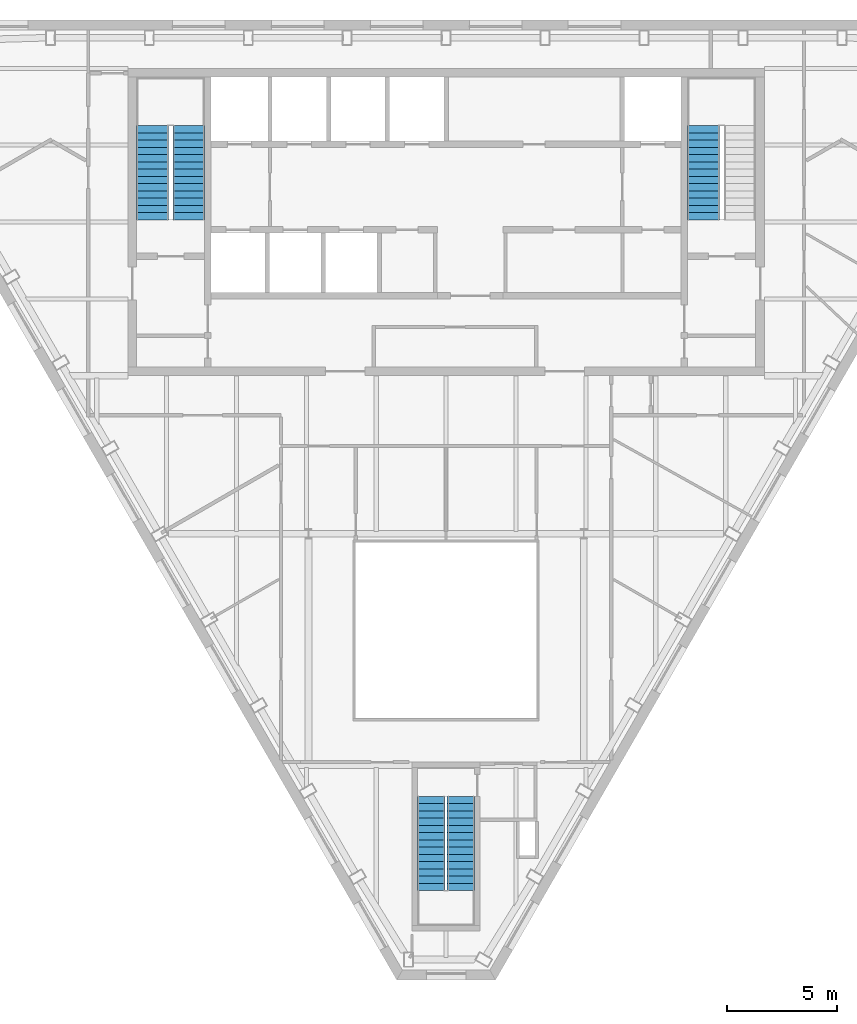
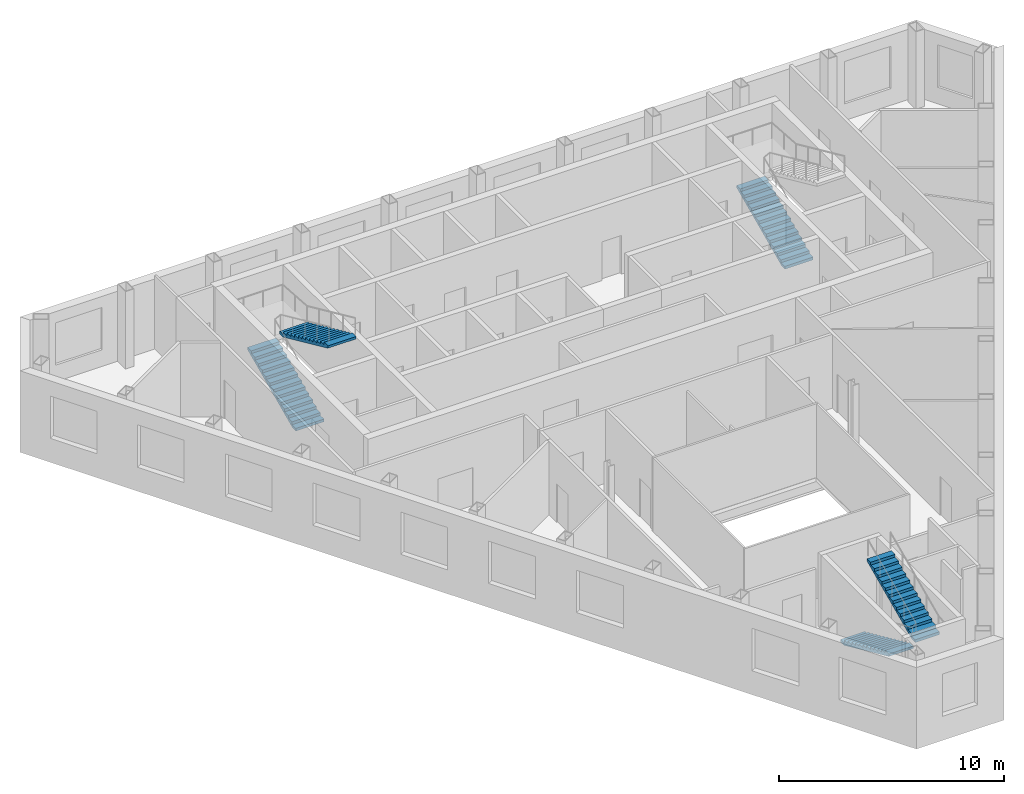
# One storey, part 9 of 11: 5 stair flights, 3 elements without a shape of their own.
"""IFC4 building model written with IfcOpenShell, lengths in metres."""

from ifc_helpers import new_model, si_unit, direction, frame, origin, place, context, subcontext, project, spatial, polygons, material, type_object, element, aggregate, save


model = new_model("IFC4")

# Units and contexts
model_context = context("Model", 3, precision=1e-05, world=origin(), true_north=direction((0.0, 1.0)))
body_context = subcontext(model_context, "Body", "Model", "MODEL_VIEW")
ifc_project = project(units=[si_unit("LENGTHUNIT", "METRE"), si_unit("AREAUNIT", "SQUARE_METRE"), si_unit("VOLUMEUNIT", "CUBIC_METRE"), si_unit("PLANEANGLEUNIT", "RADIAN"), si_unit("MASSUNIT", "GRAM", prefix="KILO")], contexts=[model_context])

# Site, building, storey
site_placement = place(None, origin())
site = spatial("IfcSite", under=ifc_project, at=site_placement, CompositionType="ELEMENT")
building_placement = place(site_placement, origin())
building = spatial("IfcBuilding", under=site, at=building_placement, Name="Njiva Tower", CompositionType="ELEMENT")
storey_placement = place(building_placement, frame((0.0, 0.0, 316.8)))
storey = spatial("IfcBuildingStorey", under=building, at=storey_placement, Name="L72", CompositionType="ELEMENT", Elevation=316.8)

# Stair, stair flights
ifc_material = material(Name="Concrete C40/50", Category="concrete")
stair_type_1 = type_object("IfcStairType", Name="ST1 Exit stair 1250", PredefinedType="HALF_TURN_STAIR", material=ifc_material)
stair_1_placement = place(storey_placement, origin())
stair_1 = element("IfcStair", 1, at=stair_1_placement, inside=storey, type_object=stair_type_1, Name="Stair C", PredefinedType="HALF_TURN_STAIR")
stair_flight_type_1 = type_object("IfcStairFlightType", Name="FL1 Stair flight 1250", PredefinedType="STRAIGHT", material=ifc_material)
stair_flight_1_placement = place(storey_placement, frame((-0.675, -15.16, 0.0), z_axis=(0.0, 0.0, 1.0), x_axis=(0.0, -1.0, 0.0)))
stair_flight_1 = element("IfcStairFlight", 2, at=stair_flight_1_placement, type_object=stair_flight_type_1, Name="ST-C flight 1", NumberOfRisers=14, NumberOfTreads=13, PredefinedType="STRAIGHT", RiserHeight=0.15, TreadLength=0.33, context=body_context, shape_type="Tessellation", body=[
    polygons([(0.0, 0.625, 0.0), (0.0, 0.3125, 0.0), (0.0, 0.0, 0.0), (0.0, -0.3125, 0.0), (0.0, -0.625, 0.0), (0.0, 0.625, 0.15), (0.0, 0.3125, 0.15), (0.0, 0.0, 0.15), (0.0, -0.3125, 0.15), (0.0, -0.625, 0.15), (0.33, 0.625, 0.15), (0.33, 0.3125, 0.15), (0.33, 0.0, 0.15), (0.33, -0.3125, 0.15), (0.33, -0.625, 0.15), (0.33, 0.625, 0.3), (0.33, 0.3125, 0.3), (0.33, 0.0, 0.3), (0.33, -0.3125, 0.3), (0.33, -0.625, 0.3), (0.66, 0.625, 0.3), (0.66, 0.3125, 0.3), (0.66, 0.0, 0.3), (0.66, -0.3125, 0.3), (0.66, -0.625, 0.3), (0.66, 0.625, 0.45), (0.66, 0.3125, 0.45), (0.66, 0.0, 0.45), (0.66, -0.3125, 0.45), (0.66, -0.625, 0.45), (0.99, 0.625, 0.45), (0.99, 0.3125, 0.45), (0.99, 0.0, 0.45), (0.99, -0.3125, 0.45), (0.99, -0.625, 0.45), (0.99, 0.625, 0.6), (0.99, 0.3125, 0.6), (0.99, 0.0, 0.6), (0.99, -0.3125, 0.6), (0.99, -0.625, 0.6), (1.32, 0.625, 0.6), (1.32, 0.3125, 0.6), (1.32, 0.0, 0.6), (1.32, -0.3125, 0.6), (1.32, -0.625, 0.6), (1.32, 0.625, 0.75), (1.32, 0.3125, 0.75), (1.32, 0.0, 0.75), (1.32, -0.3125, 0.75), (1.32, -0.625, 0.75), (1.65, 0.625, 0.75), (1.65, 0.3125, 0.75), (1.65, 0.0, 0.75), (1.65, -0.3125, 0.75), (1.65, -0.625, 0.75), (1.65, 0.625, 0.9), (1.65, 0.3125, 0.9), (1.65, 0.0, 0.9), (1.65, -0.3125, 0.9), (1.65, -0.625, 0.9), (1.98, 0.625, 0.9), (1.98, 0.3125, 0.9), (1.98, 0.0, 0.9), (1.98, -0.3125, 0.9), (1.98, -0.625, 0.9), (1.98, 0.625, 1.05), (1.98, 0.3125, 1.05), (1.98, 0.0, 1.05), (1.98, -0.3125, 1.05), (1.98, -0.625, 1.05), (2.31, 0.625, 1.05), (2.31, 0.3125, 1.05), (2.31, 0.0, 1.05), (2.31, -0.3125, 1.05), (2.31, -0.625, 1.05), (2.31, 0.625, 1.2), (2.31, 0.3125, 1.2), (2.31, 0.0, 1.2), (2.31, -0.3125, 1.2), (2.31, -0.625, 1.2), (2.64, 0.625, 1.2), (2.64, 0.3125, 1.2), (2.64, 0.0, 1.2), (2.64, -0.3125, 1.2), (2.64, -0.625, 1.2), (2.64, 0.625, 1.35), (2.64, 0.3125, 1.35), (2.64, 0.0, 1.35), (2.64, -0.3125, 1.35), (2.64, -0.625, 1.35), (2.97, 0.625, 1.35), (2.97, 0.3125, 1.35), (2.97, 0.0, 1.35), (2.97, -0.3125, 1.35), (2.97, -0.625, 1.35), (2.97, 0.625, 1.5), (2.97, 0.3125, 1.5), (2.97, 0.0, 1.5), (2.97, -0.3125, 1.5), (2.97, -0.625, 1.5), (3.3, 0.625, 1.5), (3.3, 0.3125, 1.5), (3.3, 0.0, 1.5), (3.3, -0.3125, 1.5), (3.3, -0.625, 1.5), (3.3, 0.625, 1.65), (3.3, 0.3125, 1.65), (3.3, 0.0, 1.65), (3.3, -0.3125, 1.65), (3.3, -0.625, 1.65), (3.63, 0.625, 1.65), (3.63, 0.3125, 1.65), (3.63, 0.0, 1.65), (3.63, -0.3125, 1.65), (3.63, -0.625, 1.65), (3.63, 0.625, 1.8), (3.63, 0.3125, 1.8), (3.63, 0.0, 1.8), (3.63, -0.3125, 1.8), (3.63, -0.625, 1.8), (3.96, 0.625, 1.8), (3.96, 0.3125, 1.8), (3.96, 0.0, 1.8), (3.96, -0.3125, 1.8), (3.96, -0.625, 1.8), (3.96, 0.625, 1.95), (3.96, 0.3125, 1.95), (3.96, 0.0, 1.95), (3.96, -0.3125, 1.95), (3.96, -0.625, 1.95), (4.29, 0.625, 1.95), (4.29, 0.3125, 1.95), (4.29, 0.0, 1.95), (4.29, -0.3125, 1.95), (4.29, -0.625, 1.95), (4.29, 0.625, 1.8182), (4.29, 0.3125, 1.8182), (4.29, 0.0, 1.8182), (4.29, -0.3125, 1.8182), (4.29, -0.625, 1.8182), (0.29, 0.625, 0.0), (0.29, 0.3125, 0.0), (0.29, 0.0, 0.0), (0.29, -0.3125, 0.0), (0.29, -0.625, 0.0)], [[[1, 6, 11, 16, 21, 26, 31, 36, 41, 46, 51, 56, 61, 66, 71, 76, 81, 86, 91, 96, 101, 106, 111, 116, 121, 126, 131, 136, 141]], [[145, 140, 135, 130, 125, 120, 115, 110, 105, 100, 95, 90, 85, 80, 75, 70, 65, 60, 55, 50, 45, 40, 35, 30, 25, 20, 15, 10, 5]], [[6, 1, 2, 7]], [[7, 2, 3, 8]], [[8, 3, 4, 9]], [[9, 4, 5, 10]], [[11, 6, 7, 12]], [[12, 7, 8, 13]], [[13, 8, 9, 14]], [[14, 9, 10, 15]], [[16, 11, 12, 17]], [[17, 12, 13, 18]], [[18, 13, 14, 19]], [[19, 14, 15, 20]], [[21, 16, 17, 22]], [[22, 17, 18, 23]], [[23, 18, 19, 24]], [[24, 19, 20, 25]], [[26, 21, 22, 27]], [[27, 22, 23, 28]], [[28, 23, 24, 29]], [[29, 24, 25, 30]], [[31, 26, 27, 32]], [[32, 27, 28, 33]], [[33, 28, 29, 34]], [[34, 29, 30, 35]], [[36, 31, 32, 37]], [[37, 32, 33, 38]], [[38, 33, 34, 39]], [[39, 34, 35, 40]], [[41, 36, 37, 42]], [[42, 37, 38, 43]], [[43, 38, 39, 44]], [[44, 39, 40, 45]], [[46, 41, 42, 47]], [[47, 42, 43, 48]], [[48, 43, 44, 49]], [[49, 44, 45, 50]], [[51, 46, 47, 52]], [[52, 47, 48, 53]], [[53, 48, 49, 54]], [[54, 49, 50, 55]], [[56, 51, 52, 57]], [[57, 52, 53, 58]], [[58, 53, 54, 59]], [[59, 54, 55, 60]], [[61, 56, 57, 62]], [[62, 57, 58, 63]], [[63, 58, 59, 64]], [[64, 59, 60, 65]], [[66, 61, 62, 67]], [[67, 62, 63, 68]], [[68, 63, 64, 69]], [[69, 64, 65, 70]], [[71, 66, 67, 72]], [[72, 67, 68, 73]], [[73, 68, 69, 74]], [[74, 69, 70, 75]], [[76, 71, 72, 77]], [[77, 72, 73, 78]], [[78, 73, 74, 79]], [[79, 74, 75, 80]], [[81, 76, 77, 82]], [[82, 77, 78, 83]], [[83, 78, 79, 84]], [[84, 79, 80, 85]], [[86, 81, 82, 87]], [[87, 82, 83, 88]], [[88, 83, 84, 89]], [[89, 84, 85, 90]], [[91, 86, 87, 92]], [[92, 87, 88, 93]], [[93, 88, 89, 94]], [[94, 89, 90, 95]], [[96, 91, 92, 97]], [[97, 92, 93, 98]], [[98, 93, 94, 99]], [[99, 94, 95, 100]], [[101, 96, 97, 102]], [[102, 97, 98, 103]], [[103, 98, 99, 104]], [[104, 99, 100, 105]], [[106, 101, 102, 107]], [[107, 102, 103, 108]], [[108, 103, 104, 109]], [[109, 104, 105, 110]], [[111, 106, 107, 112]], [[112, 107, 108, 113]], [[113, 108, 109, 114]], [[114, 109, 110, 115]], [[116, 111, 112, 117]], [[117, 112, 113, 118]], [[118, 113, 114, 119]], [[119, 114, 115, 120]], [[121, 116, 117, 122]], [[122, 117, 118, 123]], [[123, 118, 119, 124]], [[124, 119, 120, 125]], [[126, 121, 122, 127]], [[127, 122, 123, 128]], [[128, 123, 124, 129]], [[129, 124, 125, 130]], [[131, 126, 127, 132]], [[132, 127, 128, 133]], [[133, 128, 129, 134]], [[134, 129, 130, 135]], [[136, 131, 132, 137]], [[137, 132, 133, 138]], [[138, 133, 134, 139]], [[139, 134, 135, 140]], [[141, 136, 137, 142]], [[142, 137, 138, 143]], [[143, 138, 139, 144]], [[144, 139, 140, 145]], [[1, 141, 142, 2]], [[2, 142, 143, 3]], [[3, 143, 144, 4]], [[4, 144, 145, 5]]], closed=True),
])
stair_flight_2_placement = place(storey_placement, frame((0.675, -19.45, 2.1), z_axis=(0.0, 0.0, 1.0), x_axis=(0.0, 1.0, 0.0)))
stair_flight_2 = element("IfcStairFlight", 3, at=stair_flight_2_placement, type_object=stair_flight_type_1, Name="ST-C flight 2", NumberOfRisers=14, NumberOfTreads=13, PredefinedType="STRAIGHT", RiserHeight=0.15, TreadLength=0.33, context=body_context, shape_type="Tessellation", body=[
    polygons([(0.0, 0.625, 0.0), (0.0, 0.3125, 0.0), (0.0, 0.0, 0.0), (0.0, -0.3125, 0.0), (0.0, -0.625, 0.0), (0.0, 0.625, 0.15), (0.0, 0.3125, 0.15), (0.0, 0.0, 0.15), (0.0, -0.3125, 0.15), (0.0, -0.625, 0.15), (0.33, 0.625, 0.15), (0.33, 0.3125, 0.15), (0.33, 0.0, 0.15), (0.33, -0.3125, 0.15), (0.33, -0.625, 0.15), (0.33, 0.625, 0.3), (0.33, 0.3125, 0.3), (0.33, 0.0, 0.3), (0.33, -0.3125, 0.3), (0.33, -0.625, 0.3), (0.66, 0.625, 0.3), (0.66, 0.3125, 0.3), (0.66, 0.0, 0.3), (0.66, -0.3125, 0.3), (0.66, -0.625, 0.3), (0.66, 0.625, 0.45), (0.66, 0.3125, 0.45), (0.66, 0.0, 0.45), (0.66, -0.3125, 0.45), (0.66, -0.625, 0.45), (0.99, 0.625, 0.45), (0.99, 0.3125, 0.45), (0.99, 0.0, 0.45), (0.99, -0.3125, 0.45), (0.99, -0.625, 0.45), (0.99, 0.625, 0.6), (0.99, 0.3125, 0.6), (0.99, 0.0, 0.6), (0.99, -0.3125, 0.6), (0.99, -0.625, 0.6), (1.32, 0.625, 0.6), (1.32, 0.3125, 0.6), (1.32, 0.0, 0.6), (1.32, -0.3125, 0.6), (1.32, -0.625, 0.6), (1.32, 0.625, 0.75), (1.32, 0.3125, 0.75), (1.32, 0.0, 0.75), (1.32, -0.3125, 0.75), (1.32, -0.625, 0.75), (1.65, 0.625, 0.75), (1.65, 0.3125, 0.75), (1.65, 0.0, 0.75), (1.65, -0.3125, 0.75), (1.65, -0.625, 0.75), (1.65, 0.625, 0.9), (1.65, 0.3125, 0.9), (1.65, 0.0, 0.9), (1.65, -0.3125, 0.9), (1.65, -0.625, 0.9), (1.98, 0.625, 0.9), (1.98, 0.3125, 0.9), (1.98, 0.0, 0.9), (1.98, -0.3125, 0.9), (1.98, -0.625, 0.9), (1.98, 0.625, 1.05), (1.98, 0.3125, 1.05), (1.98, 0.0, 1.05), (1.98, -0.3125, 1.05), (1.98, -0.625, 1.05), (2.31, 0.625, 1.05), (2.31, 0.3125, 1.05), (2.31, 0.0, 1.05), (2.31, -0.3125, 1.05), (2.31, -0.625, 1.05), (2.31, 0.625, 1.2), (2.31, 0.3125, 1.2), (2.31, 0.0, 1.2), (2.31, -0.3125, 1.2), (2.31, -0.625, 1.2), (2.64, 0.625, 1.2), (2.64, 0.3125, 1.2), (2.64, 0.0, 1.2), (2.64, -0.3125, 1.2), (2.64, -0.625, 1.2), (2.64, 0.625, 1.35), (2.64, 0.3125, 1.35), (2.64, 0.0, 1.35), (2.64, -0.3125, 1.35), (2.64, -0.625, 1.35), (2.97, 0.625, 1.35), (2.97, 0.3125, 1.35), (2.97, 0.0, 1.35), (2.97, -0.3125, 1.35), (2.97, -0.625, 1.35), (2.97, 0.625, 1.5), (2.97, 0.3125, 1.5), (2.97, 0.0, 1.5), (2.97, -0.3125, 1.5), (2.97, -0.625, 1.5), (3.3, 0.625, 1.5), (3.3, 0.3125, 1.5), (3.3, 0.0, 1.5), (3.3, -0.3125, 1.5), (3.3, -0.625, 1.5), (3.3, 0.625, 1.65), (3.3, 0.3125, 1.65), (3.3, 0.0, 1.65), (3.3, -0.3125, 1.65), (3.3, -0.625, 1.65), (3.63, 0.625, 1.65), (3.63, 0.3125, 1.65), (3.63, 0.0, 1.65), (3.63, -0.3125, 1.65), (3.63, -0.625, 1.65), (3.63, 0.625, 1.8), (3.63, 0.3125, 1.8), (3.63, 0.0, 1.8), (3.63, -0.3125, 1.8), (3.63, -0.625, 1.8), (3.96, 0.625, 1.8), (3.96, 0.3125, 1.8), (3.96, 0.0, 1.8), (3.96, -0.3125, 1.8), (3.96, -0.625, 1.8), (3.96, 0.625, 1.95), (3.96, 0.3125, 1.95), (3.96, 0.0, 1.95), (3.96, -0.3125, 1.95), (3.96, -0.625, 1.95), (4.29, 0.625, 1.95), (4.29, 0.3125, 1.95), (4.29, 0.0, 1.95), (4.29, -0.3125, 1.95), (4.29, -0.625, 1.95), (4.29, 0.625, 1.8182), (4.29, 0.3125, 1.8182), (4.29, 0.0, 1.8182), (4.29, -0.3125, 1.8182), (4.29, -0.625, 1.8182), (0.29, 0.625, 0.0), (0.29, 0.3125, 0.0), (0.29, 0.0, 0.0), (0.29, -0.3125, 0.0), (0.29, -0.625, 0.0)], [[[1, 6, 11, 16, 21, 26, 31, 36, 41, 46, 51, 56, 61, 66, 71, 76, 81, 86, 91, 96, 101, 106, 111, 116, 121, 126, 131, 136, 141]], [[145, 140, 135, 130, 125, 120, 115, 110, 105, 100, 95, 90, 85, 80, 75, 70, 65, 60, 55, 50, 45, 40, 35, 30, 25, 20, 15, 10, 5]], [[6, 1, 2, 7]], [[7, 2, 3, 8]], [[8, 3, 4, 9]], [[9, 4, 5, 10]], [[11, 6, 7, 12]], [[12, 7, 8, 13]], [[13, 8, 9, 14]], [[14, 9, 10, 15]], [[16, 11, 12, 17]], [[17, 12, 13, 18]], [[18, 13, 14, 19]], [[19, 14, 15, 20]], [[21, 16, 17, 22]], [[22, 17, 18, 23]], [[23, 18, 19, 24]], [[24, 19, 20, 25]], [[26, 21, 22, 27]], [[27, 22, 23, 28]], [[28, 23, 24, 29]], [[29, 24, 25, 30]], [[31, 26, 27, 32]], [[32, 27, 28, 33]], [[33, 28, 29, 34]], [[34, 29, 30, 35]], [[36, 31, 32, 37]], [[37, 32, 33, 38]], [[38, 33, 34, 39]], [[39, 34, 35, 40]], [[41, 36, 37, 42]], [[42, 37, 38, 43]], [[43, 38, 39, 44]], [[44, 39, 40, 45]], [[46, 41, 42, 47]], [[47, 42, 43, 48]], [[48, 43, 44, 49]], [[49, 44, 45, 50]], [[51, 46, 47, 52]], [[52, 47, 48, 53]], [[53, 48, 49, 54]], [[54, 49, 50, 55]], [[56, 51, 52, 57]], [[57, 52, 53, 58]], [[58, 53, 54, 59]], [[59, 54, 55, 60]], [[61, 56, 57, 62]], [[62, 57, 58, 63]], [[63, 58, 59, 64]], [[64, 59, 60, 65]], [[66, 61, 62, 67]], [[67, 62, 63, 68]], [[68, 63, 64, 69]], [[69, 64, 65, 70]], [[71, 66, 67, 72]], [[72, 67, 68, 73]], [[73, 68, 69, 74]], [[74, 69, 70, 75]], [[76, 71, 72, 77]], [[77, 72, 73, 78]], [[78, 73, 74, 79]], [[79, 74, 75, 80]], [[81, 76, 77, 82]], [[82, 77, 78, 83]], [[83, 78, 79, 84]], [[84, 79, 80, 85]], [[86, 81, 82, 87]], [[87, 82, 83, 88]], [[88, 83, 84, 89]], [[89, 84, 85, 90]], [[91, 86, 87, 92]], [[92, 87, 88, 93]], [[93, 88, 89, 94]], [[94, 89, 90, 95]], [[96, 91, 92, 97]], [[97, 92, 93, 98]], [[98, 93, 94, 99]], [[99, 94, 95, 100]], [[101, 96, 97, 102]], [[102, 97, 98, 103]], [[103, 98, 99, 104]], [[104, 99, 100, 105]], [[106, 101, 102, 107]], [[107, 102, 103, 108]], [[108, 103, 104, 109]], [[109, 104, 105, 110]], [[111, 106, 107, 112]], [[112, 107, 108, 113]], [[113, 108, 109, 114]], [[114, 109, 110, 115]], [[116, 111, 112, 117]], [[117, 112, 113, 118]], [[118, 113, 114, 119]], [[119, 114, 115, 120]], [[121, 116, 117, 122]], [[122, 117, 118, 123]], [[123, 118, 119, 124]], [[124, 119, 120, 125]], [[126, 121, 122, 127]], [[127, 122, 123, 128]], [[128, 123, 124, 129]], [[129, 124, 125, 130]], [[131, 126, 127, 132]], [[132, 127, 128, 133]], [[133, 128, 129, 134]], [[134, 129, 130, 135]], [[136, 131, 132, 137]], [[137, 132, 133, 138]], [[138, 133, 134, 139]], [[139, 134, 135, 140]], [[141, 136, 137, 142]], [[142, 137, 138, 143]], [[143, 138, 139, 144]], [[144, 139, 140, 145]], [[1, 141, 142, 2]], [[2, 142, 143, 3]], [[3, 143, 144, 4]], [[4, 144, 145, 5]]], closed=True),
])
aggregate(stair_1, [stair_flight_1, stair_flight_2])

stair_type_2 = type_object("IfcStairType", Name="ST3 Exit stair 1450", PredefinedType="HALF_TURN_STAIR", material=ifc_material)
stair_2_placement = place(storey_placement, origin())
stair_2 = element("IfcStair", 4, at=stair_2_placement, inside=storey, type_object=stair_type_2, Name="Stair A", PredefinedType="HALF_TURN_STAIR")
stair_flight_type_2 = type_object("IfcStairFlightType", Name="FL3 Stair flight 1450", PredefinedType="STRAIGHT", material=ifc_material)
stair_flight_3_placement = place(storey_placement, frame((-13.375, 11.1, 0.0), z_axis=(0.0, 0.0, 1.0), x_axis=(0.0, 1.0, 0.0)))
stair_flight_3 = element("IfcStairFlight", 5, at=stair_flight_3_placement, type_object=stair_flight_type_2, Name="ST-A flight 1", NumberOfRisers=14, NumberOfTreads=13, PredefinedType="STRAIGHT", RiserHeight=0.15, TreadLength=0.33, context=body_context, shape_type="Tessellation", body=[
    polygons([(0.0, 0.725, 0.0), (0.0, 0.3625, 0.0), (0.0, 0.0, 0.0), (0.0, -0.3625, 0.0), (0.0, -0.725, 0.0), (0.0, 0.725, 0.15), (0.0, 0.3625, 0.15), (0.0, 0.0, 0.15), (0.0, -0.3625, 0.15), (0.0, -0.725, 0.15), (0.33, 0.725, 0.15), (0.33, 0.3625, 0.15), (0.33, 0.0, 0.15), (0.33, -0.3625, 0.15), (0.33, -0.725, 0.15), (0.33, 0.725, 0.3), (0.33, 0.3625, 0.3), (0.33, 0.0, 0.3), (0.33, -0.3625, 0.3), (0.33, -0.725, 0.3), (0.66, 0.725, 0.3), (0.66, 0.3625, 0.3), (0.66, 0.0, 0.3), (0.66, -0.3625, 0.3), (0.66, -0.725, 0.3), (0.66, 0.725, 0.45), (0.66, 0.3625, 0.45), (0.66, 0.0, 0.45), (0.66, -0.3625, 0.45), (0.66, -0.725, 0.45), (0.99, 0.725, 0.45), (0.99, 0.3625, 0.45), (0.99, 0.0, 0.45), (0.99, -0.3625, 0.45), (0.99, -0.725, 0.45), (0.99, 0.725, 0.6), (0.99, 0.3625, 0.6), (0.99, 0.0, 0.6), (0.99, -0.3625, 0.6), (0.99, -0.725, 0.6), (1.32, 0.725, 0.6), (1.32, 0.3625, 0.6), (1.32, 0.0, 0.6), (1.32, -0.3625, 0.6), (1.32, -0.725, 0.6), (1.32, 0.725, 0.75), (1.32, 0.3625, 0.75), (1.32, 0.0, 0.75), (1.32, -0.3625, 0.75), (1.32, -0.725, 0.75), (1.65, 0.725, 0.75), (1.65, 0.3625, 0.75), (1.65, 0.0, 0.75), (1.65, -0.3625, 0.75), (1.65, -0.725, 0.75), (1.65, 0.725, 0.9), (1.65, 0.3625, 0.9), (1.65, 0.0, 0.9), (1.65, -0.3625, 0.9), (1.65, -0.725, 0.9), (1.98, 0.725, 0.9), (1.98, 0.3625, 0.9), (1.98, 0.0, 0.9), (1.98, -0.3625, 0.9), (1.98, -0.725, 0.9), (1.98, 0.725, 1.05), (1.98, 0.3625, 1.05), (1.98, 0.0, 1.05), (1.98, -0.3625, 1.05), (1.98, -0.725, 1.05), (2.31, 0.725, 1.05), (2.31, 0.3625, 1.05), (2.31, 0.0, 1.05), (2.31, -0.3625, 1.05), (2.31, -0.725, 1.05), (2.31, 0.725, 1.2), (2.31, 0.3625, 1.2), (2.31, 0.0, 1.2), (2.31, -0.3625, 1.2), (2.31, -0.725, 1.2), (2.64, 0.725, 1.2), (2.64, 0.3625, 1.2), (2.64, 0.0, 1.2), (2.64, -0.3625, 1.2), (2.64, -0.725, 1.2), (2.64, 0.725, 1.35), (2.64, 0.3625, 1.35), (2.64, 0.0, 1.35), (2.64, -0.3625, 1.35), (2.64, -0.725, 1.35), (2.97, 0.725, 1.35), (2.97, 0.3625, 1.35), (2.97, 0.0, 1.35), (2.97, -0.3625, 1.35), (2.97, -0.725, 1.35), (2.97, 0.725, 1.5), (2.97, 0.3625, 1.5), (2.97, 0.0, 1.5), (2.97, -0.3625, 1.5), (2.97, -0.725, 1.5), (3.3, 0.725, 1.5), (3.3, 0.3625, 1.5), (3.3, 0.0, 1.5), (3.3, -0.3625, 1.5), (3.3, -0.725, 1.5), (3.3, 0.725, 1.65), (3.3, 0.3625, 1.65), (3.3, 0.0, 1.65), (3.3, -0.3625, 1.65), (3.3, -0.725, 1.65), (3.63, 0.725, 1.65), (3.63, 0.3625, 1.65), (3.63, 0.0, 1.65), (3.63, -0.3625, 1.65), (3.63, -0.725, 1.65), (3.63, 0.725, 1.8), (3.63, 0.3625, 1.8), (3.63, 0.0, 1.8), (3.63, -0.3625, 1.8), (3.63, -0.725, 1.8), (3.96, 0.725, 1.8), (3.96, 0.3625, 1.8), (3.96, 0.0, 1.8), (3.96, -0.3625, 1.8), (3.96, -0.725, 1.8), (3.96, 0.725, 1.95), (3.96, 0.3625, 1.95), (3.96, 0.0, 1.95), (3.96, -0.3625, 1.95), (3.96, -0.725, 1.95), (4.29, 0.725, 1.95), (4.29, 0.3625, 1.95), (4.29, 0.0, 1.95), (4.29, -0.3625, 1.95), (4.29, -0.725, 1.95), (4.29, 0.725, 1.8182), (4.29, 0.3625, 1.8182), (4.29, 0.0, 1.8182), (4.29, -0.3625, 1.8182), (4.29, -0.725, 1.8182), (0.29, 0.725, 0.0), (0.29, 0.3625, 0.0), (0.29, 0.0, 0.0), (0.29, -0.3625, 0.0), (0.29, -0.725, 0.0)], [[[1, 6, 11, 16, 21, 26, 31, 36, 41, 46, 51, 56, 61, 66, 71, 76, 81, 86, 91, 96, 101, 106, 111, 116, 121, 126, 131, 136, 141]], [[145, 140, 135, 130, 125, 120, 115, 110, 105, 100, 95, 90, 85, 80, 75, 70, 65, 60, 55, 50, 45, 40, 35, 30, 25, 20, 15, 10, 5]], [[6, 1, 2, 7]], [[7, 2, 3, 8]], [[8, 3, 4, 9]], [[9, 4, 5, 10]], [[11, 6, 7, 12]], [[12, 7, 8, 13]], [[13, 8, 9, 14]], [[14, 9, 10, 15]], [[16, 11, 12, 17]], [[17, 12, 13, 18]], [[18, 13, 14, 19]], [[19, 14, 15, 20]], [[21, 16, 17, 22]], [[22, 17, 18, 23]], [[23, 18, 19, 24]], [[24, 19, 20, 25]], [[26, 21, 22, 27]], [[27, 22, 23, 28]], [[28, 23, 24, 29]], [[29, 24, 25, 30]], [[31, 26, 27, 32]], [[32, 27, 28, 33]], [[33, 28, 29, 34]], [[34, 29, 30, 35]], [[36, 31, 32, 37]], [[37, 32, 33, 38]], [[38, 33, 34, 39]], [[39, 34, 35, 40]], [[41, 36, 37, 42]], [[42, 37, 38, 43]], [[43, 38, 39, 44]], [[44, 39, 40, 45]], [[46, 41, 42, 47]], [[47, 42, 43, 48]], [[48, 43, 44, 49]], [[49, 44, 45, 50]], [[51, 46, 47, 52]], [[52, 47, 48, 53]], [[53, 48, 49, 54]], [[54, 49, 50, 55]], [[56, 51, 52, 57]], [[57, 52, 53, 58]], [[58, 53, 54, 59]], [[59, 54, 55, 60]], [[61, 56, 57, 62]], [[62, 57, 58, 63]], [[63, 58, 59, 64]], [[64, 59, 60, 65]], [[66, 61, 62, 67]], [[67, 62, 63, 68]], [[68, 63, 64, 69]], [[69, 64, 65, 70]], [[71, 66, 67, 72]], [[72, 67, 68, 73]], [[73, 68, 69, 74]], [[74, 69, 70, 75]], [[76, 71, 72, 77]], [[77, 72, 73, 78]], [[78, 73, 74, 79]], [[79, 74, 75, 80]], [[81, 76, 77, 82]], [[82, 77, 78, 83]], [[83, 78, 79, 84]], [[84, 79, 80, 85]], [[86, 81, 82, 87]], [[87, 82, 83, 88]], [[88, 83, 84, 89]], [[89, 84, 85, 90]], [[91, 86, 87, 92]], [[92, 87, 88, 93]], [[93, 88, 89, 94]], [[94, 89, 90, 95]], [[96, 91, 92, 97]], [[97, 92, 93, 98]], [[98, 93, 94, 99]], [[99, 94, 95, 100]], [[101, 96, 97, 102]], [[102, 97, 98, 103]], [[103, 98, 99, 104]], [[104, 99, 100, 105]], [[106, 101, 102, 107]], [[107, 102, 103, 108]], [[108, 103, 104, 109]], [[109, 104, 105, 110]], [[111, 106, 107, 112]], [[112, 107, 108, 113]], [[113, 108, 109, 114]], [[114, 109, 110, 115]], [[116, 111, 112, 117]], [[117, 112, 113, 118]], [[118, 113, 114, 119]], [[119, 114, 115, 120]], [[121, 116, 117, 122]], [[122, 117, 118, 123]], [[123, 118, 119, 124]], [[124, 119, 120, 125]], [[126, 121, 122, 127]], [[127, 122, 123, 128]], [[128, 123, 124, 129]], [[129, 124, 125, 130]], [[131, 126, 127, 132]], [[132, 127, 128, 133]], [[133, 128, 129, 134]], [[134, 129, 130, 135]], [[136, 131, 132, 137]], [[137, 132, 133, 138]], [[138, 133, 134, 139]], [[139, 134, 135, 140]], [[141, 136, 137, 142]], [[142, 137, 138, 143]], [[143, 138, 139, 144]], [[144, 139, 140, 145]], [[1, 141, 142, 2]], [[2, 142, 143, 3]], [[3, 143, 144, 4]], [[4, 144, 145, 5]]], closed=True),
])
stair_flight_4_placement = place(storey_placement, frame((-11.725, 15.39, 2.1), z_axis=(0.0, 0.0, 1.0), x_axis=(0.0, -1.0, 0.0)))
stair_flight_4 = element("IfcStairFlight", 6, at=stair_flight_4_placement, type_object=stair_flight_type_2, Name="ST-A flight 2", NumberOfRisers=14, NumberOfTreads=13, PredefinedType="STRAIGHT", RiserHeight=0.15, TreadLength=0.33, context=body_context, shape_type="Tessellation", body=[
    polygons([(0.0, 0.725, 0.0), (0.0, 0.3625, 0.0), (0.0, 0.0, 0.0), (0.0, -0.3625, 0.0), (0.0, -0.725, 0.0), (0.0, 0.725, 0.15), (0.0, 0.3625, 0.15), (0.0, 0.0, 0.15), (0.0, -0.3625, 0.15), (0.0, -0.725, 0.15), (0.33, 0.725, 0.15), (0.33, 0.3625, 0.15), (0.33, 0.0, 0.15), (0.33, -0.3625, 0.15), (0.33, -0.725, 0.15), (0.33, 0.725, 0.3), (0.33, 0.3625, 0.3), (0.33, 0.0, 0.3), (0.33, -0.3625, 0.3), (0.33, -0.725, 0.3), (0.66, 0.725, 0.3), (0.66, 0.3625, 0.3), (0.66, 0.0, 0.3), (0.66, -0.3625, 0.3), (0.66, -0.725, 0.3), (0.66, 0.725, 0.45), (0.66, 0.3625, 0.45), (0.66, 0.0, 0.45), (0.66, -0.3625, 0.45), (0.66, -0.725, 0.45), (0.99, 0.725, 0.45), (0.99, 0.3625, 0.45), (0.99, 0.0, 0.45), (0.99, -0.3625, 0.45), (0.99, -0.725, 0.45), (0.99, 0.725, 0.6), (0.99, 0.3625, 0.6), (0.99, 0.0, 0.6), (0.99, -0.3625, 0.6), (0.99, -0.725, 0.6), (1.32, 0.725, 0.6), (1.32, 0.3625, 0.6), (1.32, 0.0, 0.6), (1.32, -0.3625, 0.6), (1.32, -0.725, 0.6), (1.32, 0.725, 0.75), (1.32, 0.3625, 0.75), (1.32, 0.0, 0.75), (1.32, -0.3625, 0.75), (1.32, -0.725, 0.75), (1.65, 0.725, 0.75), (1.65, 0.3625, 0.75), (1.65, 0.0, 0.75), (1.65, -0.3625, 0.75), (1.65, -0.725, 0.75), (1.65, 0.725, 0.9), (1.65, 0.3625, 0.9), (1.65, 0.0, 0.9), (1.65, -0.3625, 0.9), (1.65, -0.725, 0.9), (1.98, 0.725, 0.9), (1.98, 0.3625, 0.9), (1.98, 0.0, 0.9), (1.98, -0.3625, 0.9), (1.98, -0.725, 0.9), (1.98, 0.725, 1.05), (1.98, 0.3625, 1.05), (1.98, 0.0, 1.05), (1.98, -0.3625, 1.05), (1.98, -0.725, 1.05), (2.31, 0.725, 1.05), (2.31, 0.3625, 1.05), (2.31, 0.0, 1.05), (2.31, -0.3625, 1.05), (2.31, -0.725, 1.05), (2.31, 0.725, 1.2), (2.31, 0.3625, 1.2), (2.31, 0.0, 1.2), (2.31, -0.3625, 1.2), (2.31, -0.725, 1.2), (2.64, 0.725, 1.2), (2.64, 0.3625, 1.2), (2.64, 0.0, 1.2), (2.64, -0.3625, 1.2), (2.64, -0.725, 1.2), (2.64, 0.725, 1.35), (2.64, 0.3625, 1.35), (2.64, 0.0, 1.35), (2.64, -0.3625, 1.35), (2.64, -0.725, 1.35), (2.97, 0.725, 1.35), (2.97, 0.3625, 1.35), (2.97, 0.0, 1.35), (2.97, -0.3625, 1.35), (2.97, -0.725, 1.35), (2.97, 0.725, 1.5), (2.97, 0.3625, 1.5), (2.97, 0.0, 1.5), (2.97, -0.3625, 1.5), (2.97, -0.725, 1.5), (3.3, 0.725, 1.5), (3.3, 0.3625, 1.5), (3.3, 0.0, 1.5), (3.3, -0.3625, 1.5), (3.3, -0.725, 1.5), (3.3, 0.725, 1.65), (3.3, 0.3625, 1.65), (3.3, 0.0, 1.65), (3.3, -0.3625, 1.65), (3.3, -0.725, 1.65), (3.63, 0.725, 1.65), (3.63, 0.3625, 1.65), (3.63, 0.0, 1.65), (3.63, -0.3625, 1.65), (3.63, -0.725, 1.65), (3.63, 0.725, 1.8), (3.63, 0.3625, 1.8), (3.63, 0.0, 1.8), (3.63, -0.3625, 1.8), (3.63, -0.725, 1.8), (3.96, 0.725, 1.8), (3.96, 0.3625, 1.8), (3.96, 0.0, 1.8), (3.96, -0.3625, 1.8), (3.96, -0.725, 1.8), (3.96, 0.725, 1.95), (3.96, 0.3625, 1.95), (3.96, 0.0, 1.95), (3.96, -0.3625, 1.95), (3.96, -0.725, 1.95), (4.29, 0.725, 1.95), (4.29, 0.3625, 1.95), (4.29, 0.0, 1.95), (4.29, -0.3625, 1.95), (4.29, -0.725, 1.95), (4.29, 0.725, 1.8182), (4.29, 0.3625, 1.8182), (4.29, 0.0, 1.8182), (4.29, -0.3625, 1.8182), (4.29, -0.725, 1.8182), (0.29, 0.725, 0.0), (0.29, 0.3625, 0.0), (0.29, 0.0, 0.0), (0.29, -0.3625, 0.0), (0.29, -0.725, 0.0)], [[[1, 6, 11, 16, 21, 26, 31, 36, 41, 46, 51, 56, 61, 66, 71, 76, 81, 86, 91, 96, 101, 106, 111, 116, 121, 126, 131, 136, 141]], [[145, 140, 135, 130, 125, 120, 115, 110, 105, 100, 95, 90, 85, 80, 75, 70, 65, 60, 55, 50, 45, 40, 35, 30, 25, 20, 15, 10, 5]], [[6, 1, 2, 7]], [[7, 2, 3, 8]], [[8, 3, 4, 9]], [[9, 4, 5, 10]], [[11, 6, 7, 12]], [[12, 7, 8, 13]], [[13, 8, 9, 14]], [[14, 9, 10, 15]], [[16, 11, 12, 17]], [[17, 12, 13, 18]], [[18, 13, 14, 19]], [[19, 14, 15, 20]], [[21, 16, 17, 22]], [[22, 17, 18, 23]], [[23, 18, 19, 24]], [[24, 19, 20, 25]], [[26, 21, 22, 27]], [[27, 22, 23, 28]], [[28, 23, 24, 29]], [[29, 24, 25, 30]], [[31, 26, 27, 32]], [[32, 27, 28, 33]], [[33, 28, 29, 34]], [[34, 29, 30, 35]], [[36, 31, 32, 37]], [[37, 32, 33, 38]], [[38, 33, 34, 39]], [[39, 34, 35, 40]], [[41, 36, 37, 42]], [[42, 37, 38, 43]], [[43, 38, 39, 44]], [[44, 39, 40, 45]], [[46, 41, 42, 47]], [[47, 42, 43, 48]], [[48, 43, 44, 49]], [[49, 44, 45, 50]], [[51, 46, 47, 52]], [[52, 47, 48, 53]], [[53, 48, 49, 54]], [[54, 49, 50, 55]], [[56, 51, 52, 57]], [[57, 52, 53, 58]], [[58, 53, 54, 59]], [[59, 54, 55, 60]], [[61, 56, 57, 62]], [[62, 57, 58, 63]], [[63, 58, 59, 64]], [[64, 59, 60, 65]], [[66, 61, 62, 67]], [[67, 62, 63, 68]], [[68, 63, 64, 69]], [[69, 64, 65, 70]], [[71, 66, 67, 72]], [[72, 67, 68, 73]], [[73, 68, 69, 74]], [[74, 69, 70, 75]], [[76, 71, 72, 77]], [[77, 72, 73, 78]], [[78, 73, 74, 79]], [[79, 74, 75, 80]], [[81, 76, 77, 82]], [[82, 77, 78, 83]], [[83, 78, 79, 84]], [[84, 79, 80, 85]], [[86, 81, 82, 87]], [[87, 82, 83, 88]], [[88, 83, 84, 89]], [[89, 84, 85, 90]], [[91, 86, 87, 92]], [[92, 87, 88, 93]], [[93, 88, 89, 94]], [[94, 89, 90, 95]], [[96, 91, 92, 97]], [[97, 92, 93, 98]], [[98, 93, 94, 99]], [[99, 94, 95, 100]], [[101, 96, 97, 102]], [[102, 97, 98, 103]], [[103, 98, 99, 104]], [[104, 99, 100, 105]], [[106, 101, 102, 107]], [[107, 102, 103, 108]], [[108, 103, 104, 109]], [[109, 104, 105, 110]], [[111, 106, 107, 112]], [[112, 107, 108, 113]], [[113, 108, 109, 114]], [[114, 109, 110, 115]], [[116, 111, 112, 117]], [[117, 112, 113, 118]], [[118, 113, 114, 119]], [[119, 114, 115, 120]], [[121, 116, 117, 122]], [[122, 117, 118, 123]], [[123, 118, 119, 124]], [[124, 119, 120, 125]], [[126, 121, 122, 127]], [[127, 122, 123, 128]], [[128, 123, 124, 129]], [[129, 124, 125, 130]], [[131, 126, 127, 132]], [[132, 127, 128, 133]], [[133, 128, 129, 134]], [[134, 129, 130, 135]], [[136, 131, 132, 137]], [[137, 132, 133, 138]], [[138, 133, 134, 139]], [[139, 134, 135, 140]], [[141, 136, 137, 142]], [[142, 137, 138, 143]], [[143, 138, 139, 144]], [[144, 139, 140, 145]], [[1, 141, 142, 2]], [[2, 142, 143, 3]], [[3, 143, 144, 4]], [[4, 144, 145, 5]]], closed=True),
])
aggregate(stair_2, [stair_flight_3, stair_flight_4])

# Stair, stair flight
stair_3_placement = place(storey_placement, origin())
stair_3 = element("IfcStair", 7, at=stair_3_placement, inside=storey, type_object=stair_type_2, Name="Stair B", PredefinedType="HALF_TURN_STAIR")
stair_flight_5_placement = place(storey_placement, frame((11.725, 11.1, 0.0), z_axis=(0.0, 0.0, 1.0), x_axis=(0.0, 1.0, 0.0)))
stair_flight_5 = element("IfcStairFlight", 8, at=stair_flight_5_placement, type_object=stair_flight_type_2, Name="ST-B flight 1", NumberOfRisers=14, NumberOfTreads=13, PredefinedType="STRAIGHT", RiserHeight=0.15, TreadLength=0.33, context=body_context, shape_type="Tessellation", body=[
    polygons([(0.0, 0.725, 0.0), (0.0, 0.3625, 0.0), (0.0, 0.0, 0.0), (0.0, -0.3625, 0.0), (0.0, -0.725, 0.0), (0.0, 0.725, 0.15), (0.0, 0.3625, 0.15), (0.0, 0.0, 0.15), (0.0, -0.3625, 0.15), (0.0, -0.725, 0.15), (0.33, 0.725, 0.15), (0.33, 0.3625, 0.15), (0.33, 0.0, 0.15), (0.33, -0.3625, 0.15), (0.33, -0.725, 0.15), (0.33, 0.725, 0.3), (0.33, 0.3625, 0.3), (0.33, 0.0, 0.3), (0.33, -0.3625, 0.3), (0.33, -0.725, 0.3), (0.66, 0.725, 0.3), (0.66, 0.3625, 0.3), (0.66, 0.0, 0.3), (0.66, -0.3625, 0.3), (0.66, -0.725, 0.3), (0.66, 0.725, 0.45), (0.66, 0.3625, 0.45), (0.66, 0.0, 0.45), (0.66, -0.3625, 0.45), (0.66, -0.725, 0.45), (0.99, 0.725, 0.45), (0.99, 0.3625, 0.45), (0.99, 0.0, 0.45), (0.99, -0.3625, 0.45), (0.99, -0.725, 0.45), (0.99, 0.725, 0.6), (0.99, 0.3625, 0.6), (0.99, 0.0, 0.6), (0.99, -0.3625, 0.6), (0.99, -0.725, 0.6), (1.32, 0.725, 0.6), (1.32, 0.3625, 0.6), (1.32, 0.0, 0.6), (1.32, -0.3625, 0.6), (1.32, -0.725, 0.6), (1.32, 0.725, 0.75), (1.32, 0.3625, 0.75), (1.32, 0.0, 0.75), (1.32, -0.3625, 0.75), (1.32, -0.725, 0.75), (1.65, 0.725, 0.75), (1.65, 0.3625, 0.75), (1.65, 0.0, 0.75), (1.65, -0.3625, 0.75), (1.65, -0.725, 0.75), (1.65, 0.725, 0.9), (1.65, 0.3625, 0.9), (1.65, 0.0, 0.9), (1.65, -0.3625, 0.9), (1.65, -0.725, 0.9), (1.98, 0.725, 0.9), (1.98, 0.3625, 0.9), (1.98, 0.0, 0.9), (1.98, -0.3625, 0.9), (1.98, -0.725, 0.9), (1.98, 0.725, 1.05), (1.98, 0.3625, 1.05), (1.98, 0.0, 1.05), (1.98, -0.3625, 1.05), (1.98, -0.725, 1.05), (2.31, 0.725, 1.05), (2.31, 0.3625, 1.05), (2.31, 0.0, 1.05), (2.31, -0.3625, 1.05), (2.31, -0.725, 1.05), (2.31, 0.725, 1.2), (2.31, 0.3625, 1.2), (2.31, 0.0, 1.2), (2.31, -0.3625, 1.2), (2.31, -0.725, 1.2), (2.64, 0.725, 1.2), (2.64, 0.3625, 1.2), (2.64, 0.0, 1.2), (2.64, -0.3625, 1.2), (2.64, -0.725, 1.2), (2.64, 0.725, 1.35), (2.64, 0.3625, 1.35), (2.64, 0.0, 1.35), (2.64, -0.3625, 1.35), (2.64, -0.725, 1.35), (2.97, 0.725, 1.35), (2.97, 0.3625, 1.35), (2.97, 0.0, 1.35), (2.97, -0.3625, 1.35), (2.97, -0.725, 1.35), (2.97, 0.725, 1.5), (2.97, 0.3625, 1.5), (2.97, 0.0, 1.5), (2.97, -0.3625, 1.5), (2.97, -0.725, 1.5), (3.3, 0.725, 1.5), (3.3, 0.3625, 1.5), (3.3, 0.0, 1.5), (3.3, -0.3625, 1.5), (3.3, -0.725, 1.5), (3.3, 0.725, 1.65), (3.3, 0.3625, 1.65), (3.3, 0.0, 1.65), (3.3, -0.3625, 1.65), (3.3, -0.725, 1.65), (3.63, 0.725, 1.65), (3.63, 0.3625, 1.65), (3.63, 0.0, 1.65), (3.63, -0.3625, 1.65), (3.63, -0.725, 1.65), (3.63, 0.725, 1.8), (3.63, 0.3625, 1.8), (3.63, 0.0, 1.8), (3.63, -0.3625, 1.8), (3.63, -0.725, 1.8), (3.96, 0.725, 1.8), (3.96, 0.3625, 1.8), (3.96, 0.0, 1.8), (3.96, -0.3625, 1.8), (3.96, -0.725, 1.8), (3.96, 0.725, 1.95), (3.96, 0.3625, 1.95), (3.96, 0.0, 1.95), (3.96, -0.3625, 1.95), (3.96, -0.725, 1.95), (4.29, 0.725, 1.95), (4.29, 0.3625, 1.95), (4.29, 0.0, 1.95), (4.29, -0.3625, 1.95), (4.29, -0.725, 1.95), (4.29, 0.725, 1.8182), (4.29, 0.3625, 1.8182), (4.29, 0.0, 1.8182), (4.29, -0.3625, 1.8182), (4.29, -0.725, 1.8182), (0.29, 0.725, 0.0), (0.29, 0.3625, 0.0), (0.29, 0.0, 0.0), (0.29, -0.3625, 0.0), (0.29, -0.725, 0.0)], [[[1, 6, 11, 16, 21, 26, 31, 36, 41, 46, 51, 56, 61, 66, 71, 76, 81, 86, 91, 96, 101, 106, 111, 116, 121, 126, 131, 136, 141]], [[145, 140, 135, 130, 125, 120, 115, 110, 105, 100, 95, 90, 85, 80, 75, 70, 65, 60, 55, 50, 45, 40, 35, 30, 25, 20, 15, 10, 5]], [[6, 1, 2, 7]], [[7, 2, 3, 8]], [[8, 3, 4, 9]], [[9, 4, 5, 10]], [[11, 6, 7, 12]], [[12, 7, 8, 13]], [[13, 8, 9, 14]], [[14, 9, 10, 15]], [[16, 11, 12, 17]], [[17, 12, 13, 18]], [[18, 13, 14, 19]], [[19, 14, 15, 20]], [[21, 16, 17, 22]], [[22, 17, 18, 23]], [[23, 18, 19, 24]], [[24, 19, 20, 25]], [[26, 21, 22, 27]], [[27, 22, 23, 28]], [[28, 23, 24, 29]], [[29, 24, 25, 30]], [[31, 26, 27, 32]], [[32, 27, 28, 33]], [[33, 28, 29, 34]], [[34, 29, 30, 35]], [[36, 31, 32, 37]], [[37, 32, 33, 38]], [[38, 33, 34, 39]], [[39, 34, 35, 40]], [[41, 36, 37, 42]], [[42, 37, 38, 43]], [[43, 38, 39, 44]], [[44, 39, 40, 45]], [[46, 41, 42, 47]], [[47, 42, 43, 48]], [[48, 43, 44, 49]], [[49, 44, 45, 50]], [[51, 46, 47, 52]], [[52, 47, 48, 53]], [[53, 48, 49, 54]], [[54, 49, 50, 55]], [[56, 51, 52, 57]], [[57, 52, 53, 58]], [[58, 53, 54, 59]], [[59, 54, 55, 60]], [[61, 56, 57, 62]], [[62, 57, 58, 63]], [[63, 58, 59, 64]], [[64, 59, 60, 65]], [[66, 61, 62, 67]], [[67, 62, 63, 68]], [[68, 63, 64, 69]], [[69, 64, 65, 70]], [[71, 66, 67, 72]], [[72, 67, 68, 73]], [[73, 68, 69, 74]], [[74, 69, 70, 75]], [[76, 71, 72, 77]], [[77, 72, 73, 78]], [[78, 73, 74, 79]], [[79, 74, 75, 80]], [[81, 76, 77, 82]], [[82, 77, 78, 83]], [[83, 78, 79, 84]], [[84, 79, 80, 85]], [[86, 81, 82, 87]], [[87, 82, 83, 88]], [[88, 83, 84, 89]], [[89, 84, 85, 90]], [[91, 86, 87, 92]], [[92, 87, 88, 93]], [[93, 88, 89, 94]], [[94, 89, 90, 95]], [[96, 91, 92, 97]], [[97, 92, 93, 98]], [[98, 93, 94, 99]], [[99, 94, 95, 100]], [[101, 96, 97, 102]], [[102, 97, 98, 103]], [[103, 98, 99, 104]], [[104, 99, 100, 105]], [[106, 101, 102, 107]], [[107, 102, 103, 108]], [[108, 103, 104, 109]], [[109, 104, 105, 110]], [[111, 106, 107, 112]], [[112, 107, 108, 113]], [[113, 108, 109, 114]], [[114, 109, 110, 115]], [[116, 111, 112, 117]], [[117, 112, 113, 118]], [[118, 113, 114, 119]], [[119, 114, 115, 120]], [[121, 116, 117, 122]], [[122, 117, 118, 123]], [[123, 118, 119, 124]], [[124, 119, 120, 125]], [[126, 121, 122, 127]], [[127, 122, 123, 128]], [[128, 123, 124, 129]], [[129, 124, 125, 130]], [[131, 126, 127, 132]], [[132, 127, 128, 133]], [[133, 128, 129, 134]], [[134, 129, 130, 135]], [[136, 131, 132, 137]], [[137, 132, 133, 138]], [[138, 133, 134, 139]], [[139, 134, 135, 140]], [[141, 136, 137, 142]], [[142, 137, 138, 143]], [[143, 138, 139, 144]], [[144, 139, 140, 145]], [[1, 141, 142, 2]], [[2, 142, 143, 3]], [[3, 143, 144, 4]], [[4, 144, 145, 5]]], closed=True),
])
aggregate(stair_3, [stair_flight_5])

save(model, "model.ifc")
